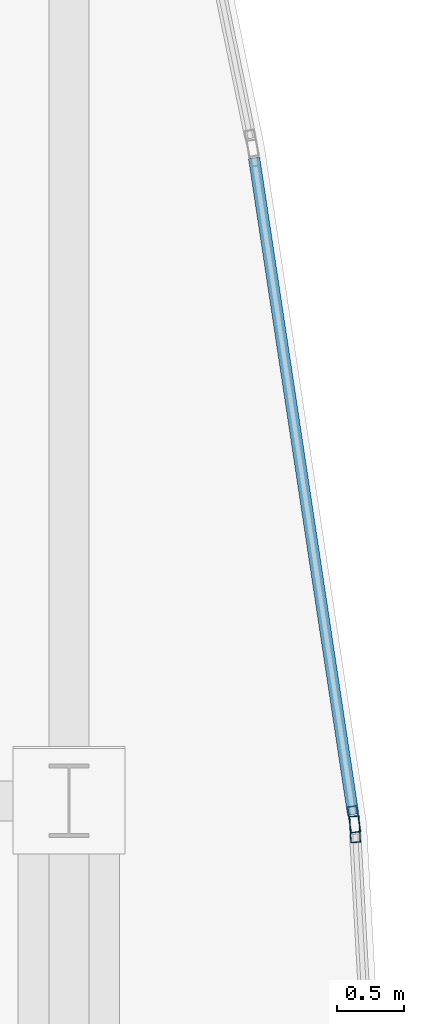
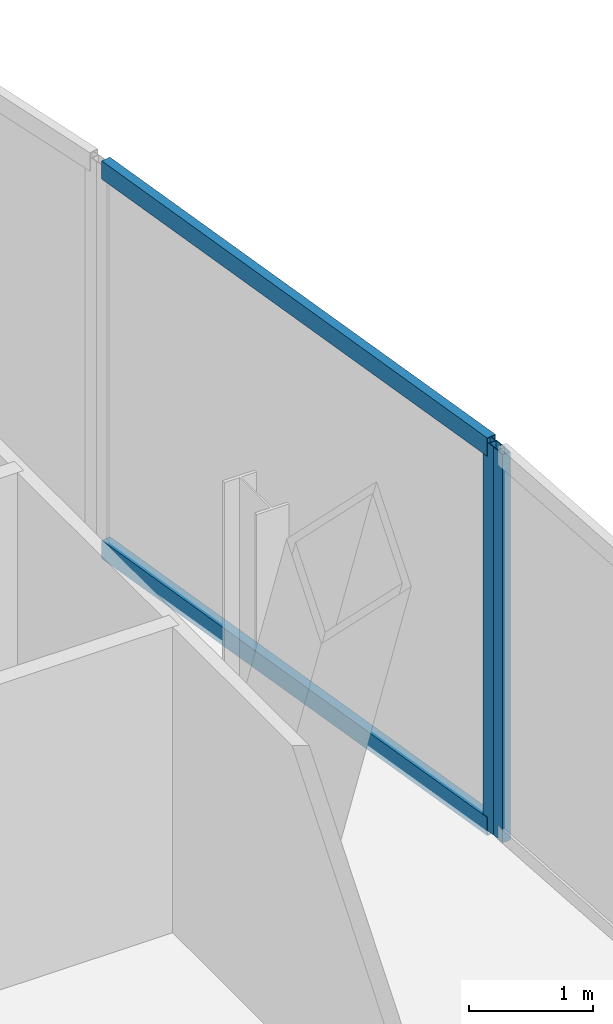
# One storey, part 25 of 36: 4 members, 2 elements without a shape of their own.
"""IFC4 building model written with IfcOpenShell, lengths in metres."""

from ifc_helpers import new_model, si_unit, direction, frame, origin, origin_2d, place, context, subcontext, project, spatial, hollow_rectangle, extrude, material, material_profile, profile_set, type_object, element, aggregate, save


model = new_model("IFC4")

# Units and contexts
model_context = context("Model", 3, precision=1e-05, world=origin(), true_north=direction((0.0, 1.0)))
body_context = subcontext(model_context, "Body", "Model", "MODEL_VIEW")
ifc_project = project(units=[si_unit("LENGTHUNIT", "METRE"), si_unit("AREAUNIT", "SQUARE_METRE"), si_unit("VOLUMEUNIT", "CUBIC_METRE"), si_unit("PLANEANGLEUNIT", "RADIAN"), si_unit("MASSUNIT", "GRAM", prefix="KILO")], contexts=[model_context])

# Site, building, storey
site_placement = place(None, origin())
site = spatial("IfcSite", under=ifc_project, at=site_placement, CompositionType="ELEMENT")
building_placement = place(site_placement, origin())
building = spatial("IfcBuilding", under=site, at=building_placement, Name="Khoronbel Lancet Exchange", CompositionType="ELEMENT")
storey_placement = place(building_placement, frame((0.0, 0.0, 49.800048828125)))
storey = spatial("IfcBuildingStorey", under=building, at=storey_placement, Name="L11", CompositionType="ELEMENT", Elevation=49.800048828125)

# Curtain wall, member
ifc_material_1 = material(Name="Low-E Solar Control Insulating Glass", Category="glass")
curtain_wall_type = type_object("IfcCurtainWallType", Name="CW-4", PredefinedType="NOTDEFINED", material=ifc_material_1)
curtain_wall_1_placement = place(storey_placement, origin())
curtain_wall_1 = element("IfcCurtainWall", 1, at=curtain_wall_1_placement, inside=storey, type_object=curtain_wall_type, Name="Unitised curtain wall CW-L11-E18", PredefinedType="NOTDEFINED")
ifc_material_2 = material(Name="Bronze-Anodised Aluminium 6063-T6", Category="aluminium")
ifc_material_profile_1 = material_profile(ifc_material_2, hollow_rectangle(XDim=0.074951171875, YDim=0.199951171875, WallThickness=0.0048828125, at=origin_2d()), Name="ALU MULLION 75x200")
ifc_profile_set_1 = profile_set([ifc_material_profile_1], Name="Bronze-Anodised Aluminium 6063-T6")
member_type_1 = type_object("IfcMemberType", Name="MEM-CWM2", PredefinedType="MULLION", material=ifc_profile_set_1)
member_1_placement = place(storey_placement, frame((73.770263671875, 35.561279296875, 0.0), z_axis=(0.0, 0.0, 1.0), x_axis=(0.988799357855, 0.149250895825, 0.0)))
member_1 = element("IfcMember", 2, at=member_1_placement, type_object=member_type_1, Name="CW4 mullion 2", PredefinedType="MULLION", context=body_context, shape_type="SweptSolid", body=[
    extrude(hollow_rectangle(XDim=0.074951171875, YDim=0.199951171875, WallThickness=0.0048828125, at=origin_2d()), origin(), (0.0, 0.0, 1.0), 3.820068359375),
])

curtain_wall_2_placement = place(storey_placement, origin())
curtain_wall_2 = element("IfcCurtainWall", 3, at=curtain_wall_2_placement, inside=storey, type_object=curtain_wall_type, Name="Unitised curtain wall CW-L11-E19", PredefinedType="NOTDEFINED")
member_2_placement = place(storey_placement, frame((73.77783203125, 35.486572265625, 0.0), z_axis=(0.0, 0.0, 1.0), x_axis=(0.998477681335, 0.05515722869, 0.0)))
member_2 = element("IfcMember", 4, at=member_2_placement, type_object=member_type_1, Name="CW4 mullion 1", PredefinedType="MULLION", context=body_context, shape_type="SweptSolid", body=[
    extrude(hollow_rectangle(XDim=0.074951171875, YDim=0.199951171875, WallThickness=0.0048828125, at=origin_2d()), origin(), (0.0, 0.0, 1.0), 3.820068359375),
])
aggregate(curtain_wall_2, [member_2])

# Member
ifc_material_profile_2 = material_profile(ifc_material_2, hollow_rectangle(XDim=0.0849609375, YDim=0.179931640625, WallThickness=0.0048828125, at=origin_2d()), Name="ALU TRANSOM 85x180")
ifc_profile_set_2 = profile_set([ifc_material_profile_2], Name="Bronze-Anodised Aluminium 6063-T6")
member_type_2 = type_object("IfcMemberType", Name="MEM-CWT1", PredefinedType="USERDEFINED", material=ifc_profile_set_2)
member_3_placement = place(storey_placement, frame((73.020751953125, 40.52685546875, 0.04248046875), z_axis=(0.149240946072, -0.988800859635, 0.0), x_axis=(0.988800859635, 0.149240946072, 0.0)))
member_3 = element("IfcMember", 5, at=member_3_placement, type_object=member_type_2, Name="CW4 transom 1.1", ObjectType="TRANSOM", PredefinedType="USERDEFINED", context=body_context, shape_type="SweptSolid", body=[
    extrude(hollow_rectangle(XDim=0.0849609375, YDim=0.179931640625, WallThickness=0.0048828125, at=origin_2d()), origin(), (0.0, 0.0, 1.0), 4.984619140625),
])

member_4_placement = place(storey_placement, frame((73.020751953125, 40.52685546875, 3.77734375), z_axis=(0.149240946072, -0.988800859635, 0.0), x_axis=(0.988800859635, 0.149240946072, 0.0)))
member_4 = element("IfcMember", 6, at=member_4_placement, type_object=member_type_2, Name="CW4 transom 1.2", ObjectType="TRANSOM", PredefinedType="USERDEFINED", context=body_context, shape_type="SweptSolid", body=[
    extrude(hollow_rectangle(XDim=0.0849609375, YDim=0.179931640625, WallThickness=0.0048828125, at=origin_2d()), origin(), (0.0, 0.0, 1.0), 4.984619140625),
])

aggregate(curtain_wall_1, [member_1, member_3, member_4])

save(model, "model.ifc")
